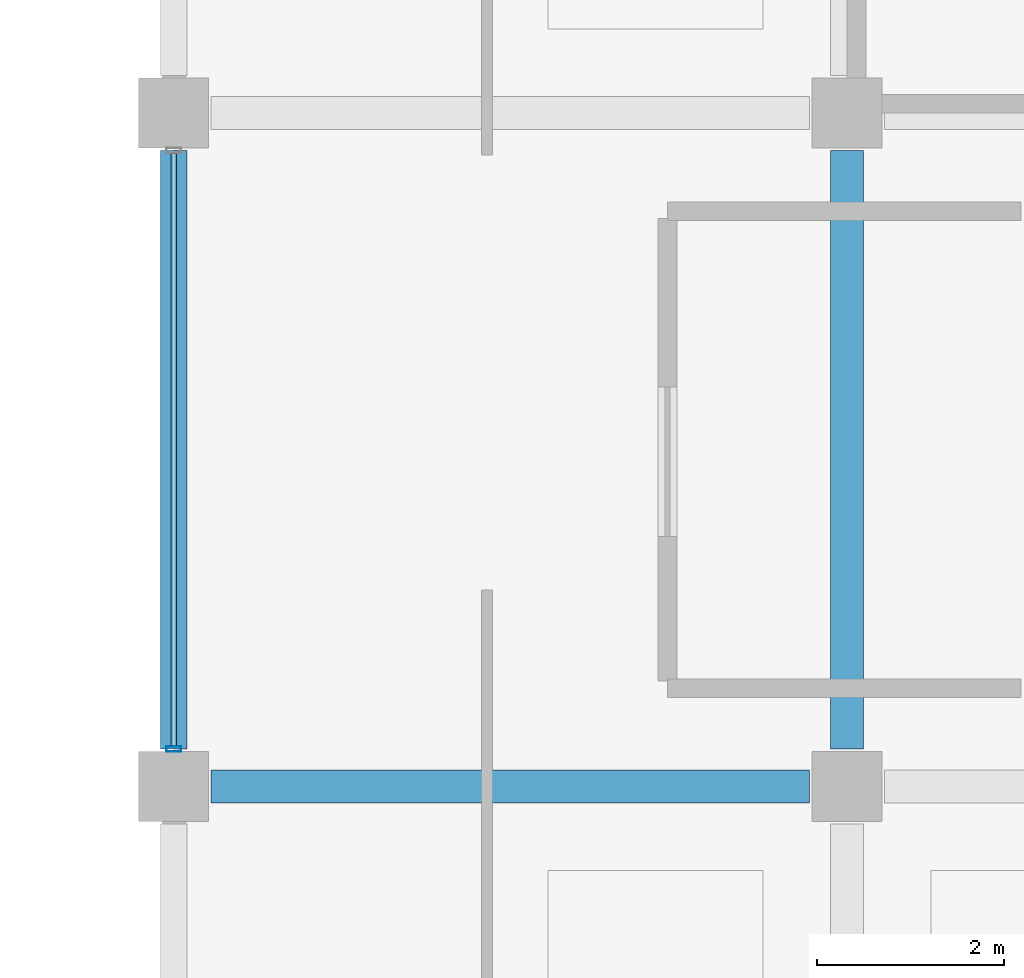
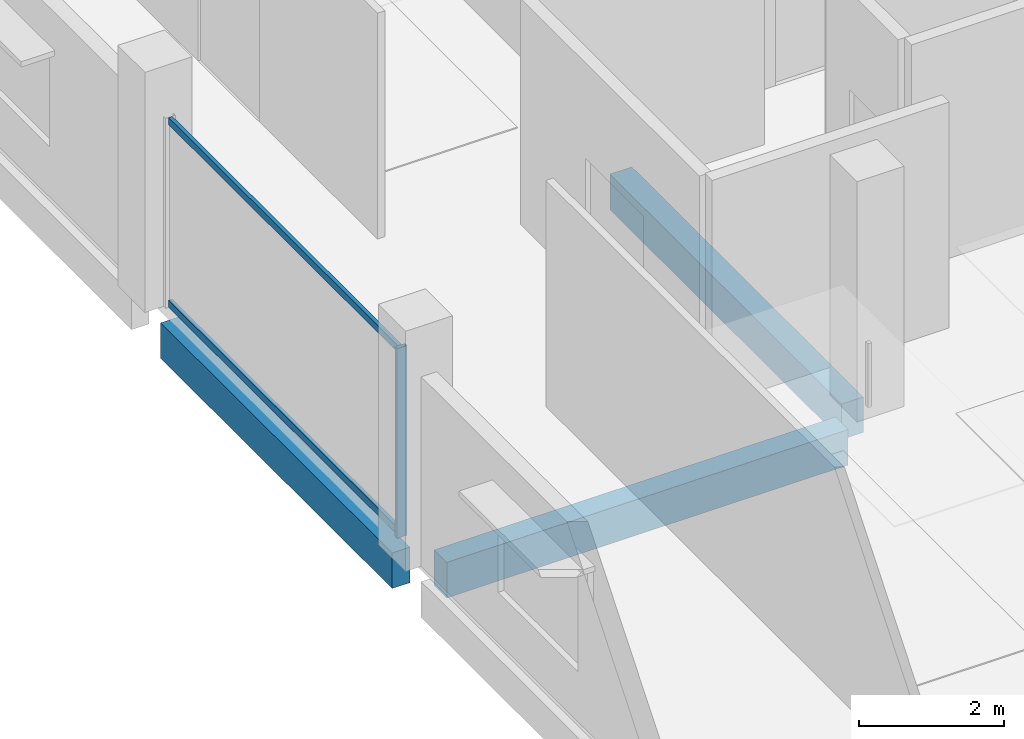
# One storey, part 45 of 108: 3 beams, 3 members, 1 element without a shape of its own.
"""IFC4 building model written with IfcOpenShell, lengths in metres."""

from ifc_helpers import new_model, si_unit, direction, frame, origin, origin_2d, place, context, subcontext, project, spatial, rectangle, hollow_rectangle, extrude, material, layer, layer_set, material_profile, profile_set, type_object, element, aggregate, save


model = new_model("IFC4")

# Units and contexts
model_context = context("Model", 3, precision=1e-05, world=origin(), true_north=direction((0.0, 1.0)))
body_context = subcontext(model_context, "Body", "Model", "MODEL_VIEW")
ifc_project = project(units=[si_unit("LENGTHUNIT", "METRE"), si_unit("AREAUNIT", "SQUARE_METRE"), si_unit("VOLUMEUNIT", "CUBIC_METRE"), si_unit("PLANEANGLEUNIT", "RADIAN"), si_unit("MASSUNIT", "GRAM", prefix="KILO")], contexts=[model_context])

# Site, building, storey
site_placement = place(None, origin())
site = spatial("IfcSite", under=ifc_project, at=site_placement, CompositionType="ELEMENT")
building_placement = place(site_placement, origin())
building = spatial("IfcBuilding", under=site, at=building_placement, Name="Kangsadwip Square Police Headquarters", CompositionType="ELEMENT")
storey_placement = place(building_placement, frame((0.0, 0.0, 9.449951171875)))
storey = spatial("IfcBuildingStorey", under=building, at=storey_placement, Name="L02", CompositionType="ELEMENT", Elevation=9.449951171875)

# Curtain wall, members
ifc_material_1 = material(Name="Thermally broken anodised aluminium AW-6063-T6", Category="aluminium")
ifc_layer = layer(ifc_material_1, 0.159912109375)
ifc_layer_set = layer_set([ifc_layer], Name="Thermally broken anodised aluminium AW-6063-T6")
curtain_wall_type = type_object("IfcCurtainWallType", Name="CourtScreen6460x3200", PredefinedType="USERDEFINED", material=ifc_layer_set)
curtain_wall_placement = place(storey_placement, origin())
curtain_wall = element("IfcCurtainWall", 1, at=curtain_wall_placement, inside=storey, type_object=curtain_wall_type, Name="Curtain Wall CW-L02-1440-0508", ObjectType="GLAZED_SCREEN", PredefinedType="USERDEFINED")
ifc_material_2 = material(Name="Thermally broken anodised aluminium AW-6063-T6", Category="aluminium")
ifc_material_profile_1 = material_profile(ifc_material_2, hollow_rectangle(XDim=0.06005859375, YDim=0.159912109375, WallThickness=0.00390625, at=origin_2d()), Name="CWM 160X60X4")
ifc_profile_set_1 = profile_set([ifc_material_profile_1], Name="Thermally broken anodised aluminium AW-6063-T6")
member_type_1 = type_object("IfcMemberType", Name="CwMullion135x60", PredefinedType="MULLION", material=ifc_profile_set_1)
member_1_placement = place(storey_placement, frame((144.0, 50.800048828125, 0.0), z_axis=(0.0, 0.0, 1.0), x_axis=(0.0, 1.0, 0.0)))
member_1 = element("IfcMember", 2, at=member_1_placement, type_object=member_type_1, Name="CW-16 mullion 1", PredefinedType="MULLION", context=body_context, shape_type="SweptSolid", body=[
    extrude(hollow_rectangle(XDim=0.06005859375, YDim=0.159912109375, WallThickness=0.00390625, at=origin_2d()), origin(), (0.0, 0.0, 1.0), 3.199951171875),
])
ifc_material_3 = material(Name="Thermally broken anodised aluminium AW-6063-T6", Category="aluminium")
ifc_material_profile_2 = material_profile(ifc_material_3, hollow_rectangle(XDim=0.06005859375, YDim=0.1201171875, WallThickness=0.00390625, at=origin_2d()), Name="CWT 120X60X4")
ifc_profile_set_2 = profile_set([ifc_material_profile_2], Name="Thermally broken anodised aluminium AW-6063-T6")
member_type_2 = type_object("IfcMemberType", Name="CwTransom120x55", PredefinedType="USERDEFINED", material=ifc_profile_set_2)
member_2_placement = place(storey_placement, frame((144.0, 50.830078125, 0.06005859375), z_axis=(0.0, 1.0, 0.0), x_axis=(-1.0, 0.0, 0.0)))
member_2 = element("IfcMember", 3, at=member_2_placement, type_object=member_type_2, Name="CW-16 transom 1.1", ObjectType="TRANSOM", PredefinedType="USERDEFINED", context=body_context, shape_type="SweptSolid", body=[
    extrude(hollow_rectangle(XDim=0.06005859375, YDim=0.1201171875, WallThickness=0.00390625, at=origin_2d()), origin(), (0.0, 0.0, 1.0), 6.33984375),
])
member_3_placement = place(storey_placement, frame((144.0, 50.830078125, 3.14013671875), z_axis=(0.0, 1.0, 0.0), x_axis=(-1.0, 0.0, 0.0)))
member_3 = element("IfcMember", 4, at=member_3_placement, type_object=member_type_2, Name="CW-16 transom 1.2", ObjectType="TRANSOM", PredefinedType="USERDEFINED", context=body_context, shape_type="SweptSolid", body=[
    extrude(hollow_rectangle(XDim=0.06005859375, YDim=0.1201171875, WallThickness=0.00390625, at=origin_2d()), origin(), (0.0, 0.0, 1.0), 6.33984375),
])
aggregate(curtain_wall, [member_1, member_2, member_3])

# Beams
ifc_material_4 = material(Name="Concrete M35 (35 MPa)", Category="concrete")
ifc_material_profile_3 = material_profile(ifc_material_4, rectangle(XDim=0.35009765625, YDim=0.60009765625, at=origin_2d()), Name="RC BM 600X350")
ifc_profile_set_3 = profile_set([ifc_material_profile_3], Name="Concrete M35 (35 MPa)")
beam_type_1 = type_object("IfcBeamType", Name="RcBeam600x350", PredefinedType="BEAM", material=ifc_profile_set_3)
beam_1_placement = place(storey_placement, frame((144.39990234375, 50.39990234375, -0.5400390625), z_axis=(1.0, 0.0, 0.0), x_axis=(0.0, 1.0, 0.0)))
element("IfcBeam", 5, at=beam_1_placement, inside=storey, type_object=beam_type_1, Name="Beam BM-L02-X-20-07", PredefinedType="BEAM", context=body_context, shape_type="SweptSolid", body=[
    extrude(rectangle(XDim=0.35009765625, YDim=0.60009765625, at=origin_2d()), origin(), (0.0, 0.0, 1.0), 6.400146484375),
])
beam_2_placement = place(storey_placement, frame((151.199951171875, 50.800048828125, -0.5400390625), z_axis=(0.0, 1.0, 0.0), x_axis=(-1.0, 0.0, 0.0)))
element("IfcBeam", 6, at=beam_2_placement, inside=storey, type_object=beam_type_1, Name="Beam BM-L02-Y-21-07", PredefinedType="BEAM", context=body_context, shape_type="SweptSolid", body=[
    extrude(rectangle(XDim=0.35009765625, YDim=0.60009765625, at=origin_2d()), origin(), (0.0, 0.0, 1.0), 6.39990234375),
])
ifc_material_5 = material(Name="Concrete M40 (40 MPa)", Category="concrete")
ifc_material_profile_4 = material_profile(ifc_material_5, rectangle(XDim=0.280029296875, YDim=0.60009765625, at=origin_2d()), Name="RC SPN 600X280")
ifc_profile_set_4 = profile_set([ifc_material_profile_4], Name="Concrete M40 (40 MPa)")
beam_type_2 = type_object("IfcBeamType", Name="RcSpandrel600x280", PredefinedType="SPANDREL", material=ifc_profile_set_4)
beam_3_placement = place(storey_placement, frame((144.0, 50.800048828125, -0.5400390625), z_axis=(0.0, 1.0, 0.0), x_axis=(-1.0, 0.0, 0.0)))
element("IfcBeam", 7, at=beam_3_placement, inside=storey, type_object=beam_type_2, Name="Beam BM-L02-Y-20-07", PredefinedType="SPANDREL", context=body_context, shape_type="SweptSolid", body=[
    extrude(rectangle(XDim=0.280029296875, YDim=0.60009765625, at=origin_2d()), origin(), (0.0, 0.0, 1.0), 6.39990234375),
])

save(model, "model.ifc")
